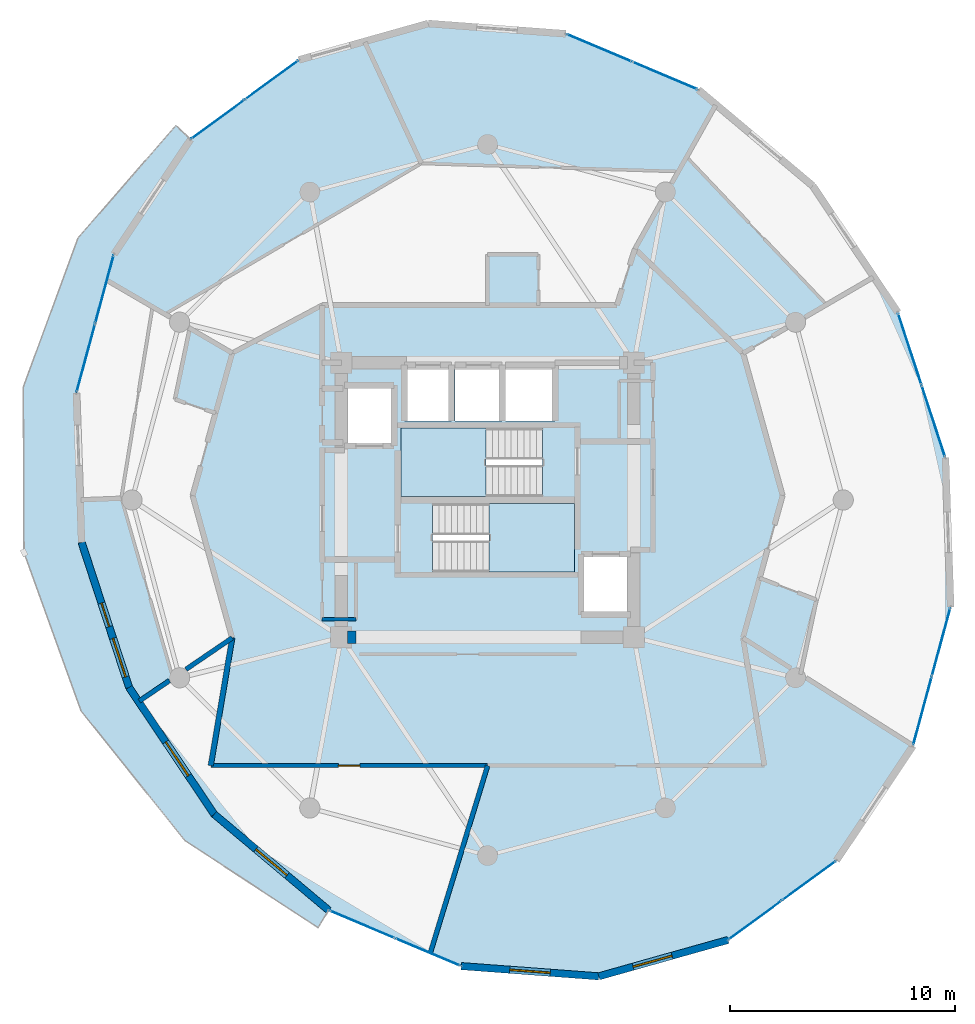
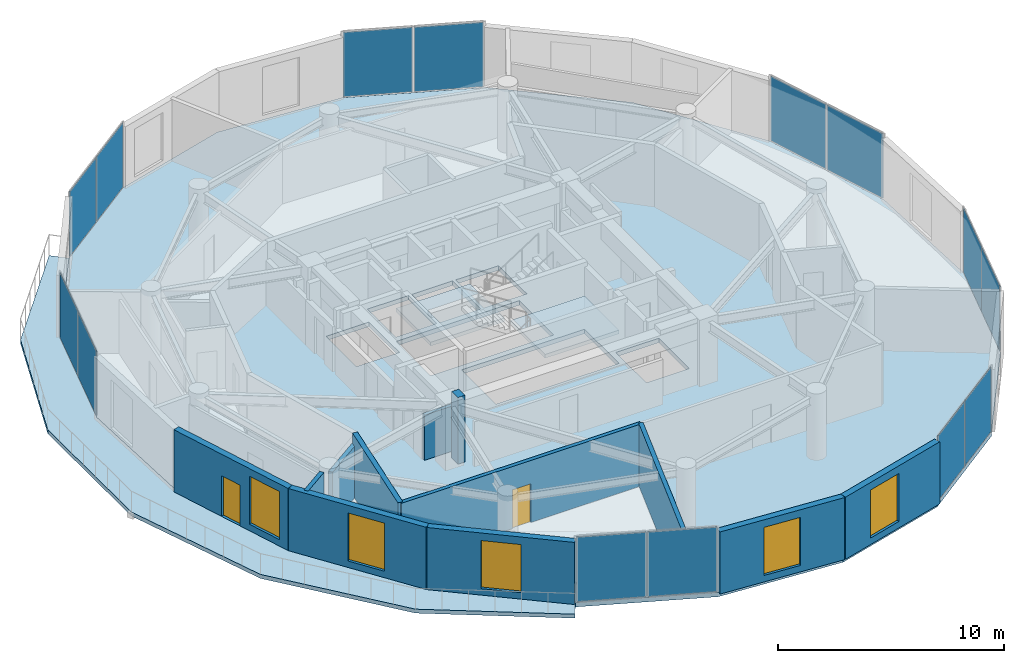
# One storey, part 13 of 18: 14 plates, 12 walls, 5 windows, 4 slabs, 2 doors, 7 openings, 9 elements without a shape of their own.
"""IFC4 building model written with IfcOpenShell, lengths in metres."""

from ifc_helpers import new_model, si_unit, direction, frame, frame_2d, origin, origin_2d, place, context, subcontext, project, spatial, polyline, rectangle, outline, extrude, source, transform, mapped, material, layer, layer_set, type_object, element, fill, aggregate, save


model = new_model("IFC4")

# Units and contexts
model_context = context("Model", 3, precision=1e-05, world=origin(), true_north=direction((0.0, 1.0)))
body_context = subcontext(model_context, "Body", "Model", "MODEL_VIEW")
ifc_project = project(units=[si_unit("LENGTHUNIT", "METRE"), si_unit("AREAUNIT", "SQUARE_METRE"), si_unit("VOLUMEUNIT", "CUBIC_METRE"), si_unit("PLANEANGLEUNIT", "RADIAN"), si_unit("MASSUNIT", "GRAM", prefix="KILO")], contexts=[model_context])

# Site, building, storey
site_placement = place(None, origin())
site = spatial("IfcSite", under=ifc_project, at=site_placement, CompositionType="ELEMENT")
building_placement = place(site_placement, origin())
building = spatial("IfcBuilding", under=site, at=building_placement, Name="Solvirekh Grand Hotel", CompositionType="ELEMENT")
storey_placement = place(building_placement, frame((0.0, 0.0, 202.0)))
storey = spatial("IfcBuildingStorey", under=building, at=storey_placement, Name="L52", CompositionType="ELEMENT", Elevation=202.0)

# Slab
ifc_material_1 = material(Name="Concrete C50/60", Category="concrete")
ifc_layer_1 = layer(ifc_material_1, 0.215087890625)
ifc_layer_set_1 = layer_set([ifc_layer_1], Name="Concrete C50/60")
slab_type_1 = type_object("IfcSlabType", Name="ExtCrescentBalc_215", PredefinedType="FLOOR", material=ifc_layer_set_1)
slab_1_placement = place(storey_placement, frame((0.0, 0.0, -0.215087890625)))
element("IfcSlab", 1, at=slab_1_placement, inside=storey, type_object=slab_type_1, Name="L52 sweeping crescent balcony slab", PredefinedType="FLOOR", context=body_context, shape_type="SweptSolid", body=[
    extrude(outline(polyline([(-13.846923828125, 16.638916015625), (-18.197021484375, 11.637939453125), (-20.626953125, 5.01708984375), (-20.596923828125, -2.339111328125), (-18.05908203125, -9.368896484375), (-13.448974609375, -15.1298828125), (-7.532958984375, -18.9951171875), (-7.06103515625, -18.22900390625), (-12.14501953125, -13.9619140625), (-15.927001953125, -8.3291015625), (-18.0380859375, -1.8798828125), (-18.27001953125, 4.751953125), (-16.60107421875, 10.919921875), (-13.195068359375, 16.01806640625), (-13.846923828125, 16.638916015625)])), origin(), (0.0, 0.0, 1.0), 0.215087890625),
])

# Stair, slab
ifc_material_2 = material(Name="Concrete C40/50", Category="concrete")
stair_type = type_object("IfcStairType", Name="Stair_Core_1450", PredefinedType="HALF_TURN_STAIR", material=ifc_material_2)
stair_1_placement = place(storey_placement, origin())
stair_1 = element("IfcStair", 2, at=stair_1_placement, inside=storey, type_object=stair_type, Name="L52 Enclosed exit stair ST-1", PredefinedType="HALF_TURN_STAIR")
ifc_layer_2 = layer(ifc_material_2, 0.199951171875)
ifc_layer_set_2 = layer_set([ifc_layer_2], Name="Concrete C40/50")
slab_type_2 = type_object("IfcSlabType", Name="Landing_Stair_200", PredefinedType="LANDING", material=ifc_layer_set_2)
slab_2_placement = place(storey_placement, frame((0.0, 0.0, 1.60009765625)))
slab_2 = element("IfcSlab", 3, at=slab_2_placement, type_object=slab_type_2, Name="ST-1 landing 1", PredefinedType="LANDING", context=body_context, shape_type="SweptSolid", body=[
    extrude(outline(polyline([(0.070068359375, -3.199951171875), (3.85009765625, -3.199951171875), (3.85009765625, -0.14990234375), (0.070068359375, -0.14990234375), (0.070068359375, -3.199951171875)])), origin(), (0.0, 0.0, 1.0), 0.199951171875),
])
aggregate(stair_1, [slab_2])

stair_2_placement = place(storey_placement, origin())
stair_2 = element("IfcStair", 4, at=stair_2_placement, inside=storey, type_object=stair_type, Name="L52 Enclosed exit stair ST-2", PredefinedType="HALF_TURN_STAIR")
slab_3_placement = place(storey_placement, frame((0.0, 0.0, 1.60009765625)))
slab_3 = element("IfcSlab", 5, at=slab_3_placement, type_object=slab_type_2, Name="ST-2 landing 1", PredefinedType="LANDING", context=body_context, shape_type="SweptSolid", body=[
    extrude(outline(polyline([(-0.070068359375, 3.199951171875), (-3.85009765625, 3.199951171875), (-3.85009765625, 0.14990234375), (-0.070068359375, 0.14990234375), (-0.070068359375, 3.199951171875)])), origin(), (0.0, 0.0, 1.0), 0.199951171875),
])
aggregate(stair_2, [slab_3])

# Slab
ifc_layer_3 = layer(ifc_material_2, 0.239990234375)
ifc_layer_set_3 = layer_set([ifc_layer_3], Name="Concrete C40/50")
slab_type_3 = type_object("IfcSlabType", Name="Slab_GuestZ3_240", PredefinedType="FLOOR", material=ifc_layer_set_3)
slab_4_placement = place(storey_placement, frame((0.0, 0.0, -0.239990234375)))
element("IfcSlab", 6, at=slab_4_placement, inside=storey, type_object=slab_type_3, Name="L52 structural floor slab", PredefinedType="FLOOR", context=body_context, shape_type="SweptSolid", body=[
    extrude(outline(polyline([(10.68505859375, -19.549072265625), (15.4951171875, -16.01806640625), (18.90087890625, -10.919921875), (20.570068359375, -4.751953125), (20.337890625, 1.8798828125), (18.22705078125, 8.3291015625), (14.445068359375, 13.9619140625), (9.361083984375, 18.22900390625), (3.47412109375, 20.7109375), (-2.64111328125, 21.166015625), (-8.385009765625, 19.549072265625), (-13.195068359375, 16.01806640625), (-16.60107421875, 10.919921875), (-18.27001953125, 4.751953125), (-18.0380859375, -1.8798828125), (-15.927001953125, -8.3291015625), (-12.14501953125, -13.9619140625), (-7.06103515625, -18.22900390625), (-1.174072265625, -20.7109375), (4.94091796875, -21.166015625), (10.68505859375, -19.549072265625)]), holes=[polyline([(-2.444091796875, -0.14990234375), (3.85009765625, -0.14990234375), (3.85009765625, -3.199951171875), (-2.444091796875, -3.199951171875), (-2.444091796875, -0.14990234375)]), polyline([(2.444091796875, 0.14990234375), (-3.85009765625, 0.14990234375), (-3.85009765625, 3.199951171875), (2.444091796875, 3.199951171875), (2.444091796875, 0.14990234375)]), polyline([(-3.699951171875, 6.0), (-1.60009765625, 6.0), (-1.60009765625, 3.5), (-3.699951171875, 3.5), (-3.699951171875, 6.0)]), polyline([(-1.449951171875, 6.0), (0.64990234375, 6.0), (0.64990234375, 3.5), (-1.449951171875, 3.5), (-1.449951171875, 6.0)]), polyline([(0.800048828125, 6.0), (3.0, 6.0), (3.0, 3.5), (0.800048828125, 3.5), (0.800048828125, 6.0)]), polyline([(-6.35009765625, 5.10009765625), (-4.14990234375, 5.10009765625), (-4.14990234375, 2.39990234375), (-6.35009765625, 2.39990234375), (-6.35009765625, 5.10009765625)]), polyline([(4.14990234375, -2.39990234375), (6.35009765625, -2.39990234375), (6.35009765625, -5.10009765625), (4.14990234375, -5.10009765625), (4.14990234375, -2.39990234375)])]), origin(), (0.0, 0.0, 1.0), 0.239990234375),
])

# Curtain wall, plates
ifc_material_3 = material(Name="Anodized Bronze Aluminium 6063-T6", Category="aluminium")
ifc_layer_4 = layer(ifc_material_3, 0.159912109375)
ifc_layer_set_4 = layer_set([ifc_layer_4], Name="Anodized Bronze Aluminium 6063-T6")
curtain_wall_type = type_object("IfcCurtainWallType", Name="CW_Sys4_HighZoneFlushBronzeCW", PredefinedType="NOTDEFINED", material=ifc_layer_set_4)
curtain_wall_1_placement = place(storey_placement, origin())
curtain_wall_1 = element("IfcCurtainWall", 7, at=curtain_wall_1_placement, inside=storey, type_object=curtain_wall_type, Name="L52 unitised bronze-glass curtain wall CW-L52-C01", PredefinedType="NOTDEFINED")
ifc_material_4 = material(Name="Low-E Tinted Bronze Laminated Glass", Category="aluminium")
ifc_layer_5 = layer(ifc_material_4, 0.033935546875)
ifc_layer_set_5 = layer_set([ifc_layer_5], Name="Low-E Tinted Bronze Laminated Glass")
plate_type = type_object("IfcPlateType", Name="CWPanel_High_34", PredefinedType="CURTAIN_PANEL", material=ifc_layer_set_5)
shared_shape_1 = source(origin(), body_context, "Body", "SweptSolid", [
    extrude(rectangle(XDim=2.8935546875, YDim=0.033935546875, at=origin_2d()), origin(), (0.0, 0.0, 1.0), 3.489990234375),
])
plate_1_placement = place(storey_placement, frame((11.899658203125, -18.657470703125, 0.05517578125), z_axis=(0.0, 0.0, 1.0), x_axis=(0.80611185509, 0.591763193418, 0.0)))
plate_1 = element("IfcPlate", 8, at=plate_1_placement, type_object=plate_type, Name="U04 panel 1.1", PredefinedType="CURTAIN_PANEL", context=body_context, shape_type="MappedRepresentation", body=[
    mapped(shared_shape_1, transform((0.0, 0.0, 0.0), x_axis=(1.0, 0.0, 0.0), y_axis=(0.0, 1.0, 0.0), z_axis=(0.0, 0.0, 1.0), scale=1.0)),
])
plate_2_placement = place(storey_placement, frame((14.280517578125, -16.90966796875, 0.05517578125), z_axis=(0.0, 0.0, 1.0), x_axis=(0.80611185509, 0.591763193418, 0.0)))
plate_2 = element("IfcPlate", 9, at=plate_2_placement, type_object=plate_type, Name="U04 panel 2.1", PredefinedType="CURTAIN_PANEL", context=body_context, shape_type="MappedRepresentation", body=[
    mapped(shared_shape_1, transform((0.0, 0.0, 0.0), x_axis=(1.0, 0.0, 0.0), y_axis=(0.0, 1.0, 0.0), z_axis=(0.0, 0.0, 1.0), scale=1.0)),
])
aggregate(curtain_wall_1, [plate_1, plate_2])

curtain_wall_2_placement = place(storey_placement, origin())
curtain_wall_2 = element("IfcCurtainWall", 10, at=curtain_wall_2_placement, inside=storey, type_object=curtain_wall_type, Name="L52 unitised bronze-glass curtain wall CW-L52-C11", PredefinedType="NOTDEFINED")
plate_3_placement = place(storey_placement, frame((-9.599609375, 18.657470703125, 0.05517578125), z_axis=(0.0, 0.0, 1.0), x_axis=(-0.80611185509, -0.591763193418, 0.0)))
plate_3 = element("IfcPlate", 11, at=plate_3_placement, type_object=plate_type, Name="U04 panel 1.1", PredefinedType="CURTAIN_PANEL", context=body_context, shape_type="MappedRepresentation", body=[
    mapped(shared_shape_1, transform((0.0, 0.0, 0.0), x_axis=(1.0, 0.0, 0.0), y_axis=(0.0, 1.0, 0.0), z_axis=(0.0, 0.0, 1.0), scale=1.0)),
])
plate_4_placement = place(storey_placement, frame((-11.98046875, 16.90966796875, 0.05517578125), z_axis=(0.0, 0.0, 1.0), x_axis=(-0.80611185509, -0.591763193418, 0.0)))
plate_4 = element("IfcPlate", 12, at=plate_4_placement, type_object=plate_type, Name="U04 panel 2.1", PredefinedType="CURTAIN_PANEL", context=body_context, shape_type="MappedRepresentation", body=[
    mapped(shared_shape_1, transform((0.0, 0.0, 0.0), x_axis=(1.0, 0.0, 0.0), y_axis=(0.0, 1.0, 0.0), z_axis=(0.0, 0.0, 1.0), scale=1.0)),
])
aggregate(curtain_wall_2, [plate_3, plate_4])

curtain_wall_3_placement = place(storey_placement, origin())
curtain_wall_3 = element("IfcCurtainWall", 13, at=curtain_wall_3_placement, inside=storey, type_object=curtain_wall_type, Name="L52 unitised bronze-glass curtain wall CW-L52-C08", PredefinedType="NOTDEFINED")
shared_shape_2 = source(origin(), body_context, "Body", "SweptSolid", [
    extrude(rectangle(XDim=3.1044921875, YDim=0.033935546875, at=origin_2d()), origin(), (0.0, 0.0, 1.0), 3.489990234375),
])
plate_5_placement = place(storey_placement, frame((7.87548828125, 18.855224609375, 0.05517578125), z_axis=(0.0, 0.0, 1.0), x_axis=(-0.92145260114, 0.388490802791, 0.0)))
plate_5 = element("IfcPlate", 14, at=plate_5_placement, type_object=plate_type, Name="U04 panel 1.1", PredefinedType="CURTAIN_PANEL", context=body_context, shape_type="MappedRepresentation", body=[
    mapped(shared_shape_2, transform((0.0, 0.0, 0.0), x_axis=(1.0, 0.0, 0.0), y_axis=(0.0, 1.0, 0.0), z_axis=(0.0, 0.0, 1.0), scale=1.0)),
])
plate_6_placement = place(storey_placement, frame((4.95947265625, 20.084716796875, 0.05517578125), z_axis=(0.0, 0.0, 1.0), x_axis=(-0.92145260114, 0.388490802791, 0.0)))
plate_6 = element("IfcPlate", 15, at=plate_6_placement, type_object=plate_type, Name="U04 panel 2.1", PredefinedType="CURTAIN_PANEL", context=body_context, shape_type="MappedRepresentation", body=[
    mapped(shared_shape_2, transform((0.0, 0.0, 0.0), x_axis=(1.0, 0.0, 0.0), y_axis=(0.0, 1.0, 0.0), z_axis=(0.0, 0.0, 1.0), scale=1.0)),
])
aggregate(curtain_wall_3, [plate_5, plate_6])

curtain_wall_4_placement = place(storey_placement, origin())
curtain_wall_4 = element("IfcCurtainWall", 16, at=curtain_wall_4_placement, inside=storey, type_object=curtain_wall_type, Name="L52 unitised bronze-glass curtain wall CW-L52-C18", PredefinedType="NOTDEFINED")
plate_7_placement = place(storey_placement, frame((-5.575439453125, -18.855224609375, 0.05517578125), z_axis=(0.0, 0.0, 1.0), x_axis=(0.92145260114, -0.388490802791, 0.0)))
plate_7 = element("IfcPlate", 17, at=plate_7_placement, type_object=plate_type, Name="U04 panel 1.1", PredefinedType="CURTAIN_PANEL", context=body_context, shape_type="MappedRepresentation", body=[
    mapped(shared_shape_2, transform((0.0, 0.0, 0.0), x_axis=(1.0, 0.0, 0.0), y_axis=(0.0, 1.0, 0.0), z_axis=(0.0, 0.0, 1.0), scale=1.0)),
])
plate_8_placement = place(storey_placement, frame((-2.65966796875, -20.084716796875, 0.05517578125), z_axis=(0.0, 0.0, 1.0), x_axis=(0.92145260114, -0.388490802791, 0.0)))
plate_8 = element("IfcPlate", 18, at=plate_8_placement, type_object=plate_type, Name="U04 panel 2.1", PredefinedType="CURTAIN_PANEL", context=body_context, shape_type="MappedRepresentation", body=[
    mapped(shared_shape_2, transform((0.0, 0.0, 0.0), x_axis=(1.0, 0.0, 0.0), y_axis=(0.0, 1.0, 0.0), z_axis=(0.0, 0.0, 1.0), scale=1.0)),
])
aggregate(curtain_wall_4, [plate_7, plate_8])

curtain_wall_5_placement = place(storey_placement, origin())
curtain_wall_5 = element("IfcCurtainWall", 19, at=curtain_wall_5_placement, inside=storey, type_object=curtain_wall_type, Name="L52 unitised bronze-glass curtain wall CW-L52-C03", PredefinedType="NOTDEFINED")
shared_shape_3 = source(origin(), body_context, "Body", "SweptSolid", [
    extrude(rectangle(XDim=3.10498046875, YDim=0.033935546875, at=origin_2d()), origin(), (0.0, 0.0, 1.0), 3.489990234375),
])
plate_9_placement = place(storey_placement, frame((19.322265625, -9.363525390625, 0.05517578125), z_axis=(0.0, 0.0, 1.0), x_axis=(0.26119676283, 0.965285580068, 0.0)))
plate_9 = element("IfcPlate", 20, at=plate_9_placement, type_object=plate_type, Name="U04 panel 1.1", PredefinedType="CURTAIN_PANEL", context=body_context, shape_type="MappedRepresentation", body=[
    mapped(shared_shape_3, transform((0.0, 0.0, 0.0), x_axis=(1.0, 0.0, 0.0), y_axis=(0.0, 1.0, 0.0), z_axis=(0.0, 0.0, 1.0), scale=1.0)),
])
plate_10_placement = place(storey_placement, frame((20.14892578125, -6.30859375, 0.05517578125), z_axis=(0.0, 0.0, 1.0), x_axis=(0.26119676283, 0.965285580068, 0.0)))
plate_10 = element("IfcPlate", 21, at=plate_10_placement, type_object=plate_type, Name="U04 panel 2.1", PredefinedType="CURTAIN_PANEL", context=body_context, shape_type="MappedRepresentation", body=[
    mapped(shared_shape_3, transform((0.0, 0.0, 0.0), x_axis=(1.0, 0.0, 0.0), y_axis=(0.0, 1.0, 0.0), z_axis=(0.0, 0.0, 1.0), scale=1.0)),
])
aggregate(curtain_wall_5, [plate_9, plate_10])

curtain_wall_6_placement = place(storey_placement, origin())
curtain_wall_6 = element("IfcCurtainWall", 22, at=curtain_wall_6_placement, inside=storey, type_object=curtain_wall_type, Name="L52 unitised bronze-glass curtain wall CW-L52-C13", PredefinedType="NOTDEFINED")
plate_11_placement = place(storey_placement, frame((-17.022216796875, 9.363525390625, 0.05517578125), z_axis=(0.0, 0.0, 1.0), x_axis=(-0.26119676283, -0.965285580068, 0.0)))
plate_11 = element("IfcPlate", 23, at=plate_11_placement, type_object=plate_type, Name="U04 panel 1.1", PredefinedType="CURTAIN_PANEL", context=body_context, shape_type="MappedRepresentation", body=[
    mapped(shared_shape_3, transform((0.0, 0.0, 0.0), x_axis=(1.0, 0.0, 0.0), y_axis=(0.0, 1.0, 0.0), z_axis=(0.0, 0.0, 1.0), scale=1.0)),
])
plate_12_placement = place(storey_placement, frame((-17.848876953125, 6.30859375, 0.05517578125), z_axis=(0.0, 0.0, 1.0), x_axis=(-0.26119676283, -0.965285580068, 0.0)))
plate_12 = element("IfcPlate", 24, at=plate_12_placement, type_object=plate_type, Name="U04 panel 2.1", PredefinedType="CURTAIN_PANEL", context=body_context, shape_type="MappedRepresentation", body=[
    mapped(shared_shape_3, transform((0.0, 0.0, 0.0), x_axis=(1.0, 0.0, 0.0), y_axis=(0.0, 1.0, 0.0), z_axis=(0.0, 0.0, 1.0), scale=1.0)),
])
aggregate(curtain_wall_6, [plate_11, plate_12])

curtain_wall_7_placement = place(storey_placement, origin())
curtain_wall_7 = element("IfcCurtainWall", 25, at=curtain_wall_7_placement, inside=storey, type_object=curtain_wall_type, Name="L52 unitised bronze-glass curtain wall CW-L52-C05", PredefinedType="NOTDEFINED")
shared_shape_4 = source(origin(), body_context, "Body", "SweptSolid", [
    extrude(rectangle(XDim=3.302978515625, YDim=0.033935546875, at=origin_2d()), origin(), (0.0, 0.0, 1.0), 3.489990234375),
])
plate_13_placement = place(storey_placement, frame((19.8056640625, 3.506591796875, 0.05517578125), z_axis=(0.0, 0.0, 1.0), x_axis=(-0.311094724563, 0.950378909882, 0.0)))
plate_13 = element("IfcPlate", 26, at=plate_13_placement, type_object=plate_type, Name="U04 panel 1.1", PredefinedType="CURTAIN_PANEL", context=body_context, shape_type="MappedRepresentation", body=[
    mapped(shared_shape_4, transform((0.0, 0.0, 0.0), x_axis=(1.0, 0.0, 0.0), y_axis=(0.0, 1.0, 0.0), z_axis=(0.0, 0.0, 1.0), scale=1.0)),
])
plate_14_placement = place(storey_placement, frame((18.759521484375, 6.702392578125, 0.05517578125), z_axis=(0.0, 0.0, 1.0), x_axis=(-0.311094724563, 0.950378909882, 0.0)))
plate_14 = element("IfcPlate", 27, at=plate_14_placement, type_object=plate_type, Name="U04 panel 2.1", PredefinedType="CURTAIN_PANEL", context=body_context, shape_type="MappedRepresentation", body=[
    mapped(shared_shape_4, transform((0.0, 0.0, 0.0), x_axis=(1.0, 0.0, 0.0), y_axis=(0.0, 1.0, 0.0), z_axis=(0.0, 0.0, 1.0), scale=1.0)),
])
aggregate(curtain_wall_7, [plate_13, plate_14])

# Wall
ifc_layer_6 = layer(ifc_material_1, 0.550048828125)
ifc_layer_set_6 = layer_set([ifc_layer_6], Name="Concrete C50/60")
wall_type_1 = type_object("IfcWallType", Name="CoreWall_RC550", PredefinedType="SHEAR", material=ifc_layer_set_6)
wall_1_placement = place(storey_placement, frame((-6.22509765625, -6.10009765625, 0.0), z_axis=(0.0, 0.0, 1.0), x_axis=(1.0, 0.0, 0.0)))
element("IfcWall", 28, at=wall_1_placement, inside=storey, type_object=wall_type_1, Name="L52 core corner shear wall SW-S", PredefinedType="SHEAR", context=body_context, shape_type="SweptSolid", body=[
    extrude(rectangle(XDim=0.375, YDim=0.550048828125, at=frame_2d((0.1875, 0.0))), origin(), (0.0, 0.0, 1.0), 3.60009765625),
])

# Wall, openings, door, window
ifc_material_5 = material(Name="Precast concrete C45/55", Category="concrete")
ifc_layer_7 = layer(ifc_material_5, 0.320068359375)
ifc_layer_set_7 = layer_set([ifc_layer_7], Name="Precast concrete C45/55")
wall_type_2 = type_object("IfcWallType", Name="ExtLobbyWall_RC320", PredefinedType="SOLIDWALL", material=ifc_layer_set_7)
wall_2_placement = place(storey_placement, frame((-15.927001953125, -8.3291015625, 0.0), z_axis=(0.0, 0.0, 1.0), x_axis=(-0.311096372271, 0.950378370524, 0.0)))
wall_2 = element("IfcWall", 29, at=wall_2_placement, inside=storey, type_object=wall_type_2, Name="L52 exterior structural wall chord 15", PredefinedType="SOLIDWALL", context=body_context, shape_type="SweptSolid", body=[
    extrude(rectangle(XDim=6.785888671875, YDim=0.320068359375, at=frame_2d((3.39306640625, 0.0))), origin(), (0.0, 0.0, 1.0), 3.360107421875),
])
opening_1_placement = place(wall_2_placement, frame((0.49609375, 0.0, 0.35009765625)))
opening_1 = element("IfcOpeningElement", 30, at=opening_1_placement, cuts=wall_2, Name="Opening W02", PredefinedType="OPENING", context=body_context, shape_type="SweptSolid", body=[
    extrude(rectangle(XDim=1.800048828125, YDim=2.60009765625, at=frame_2d((0.89990234375, 1.300048828125))), frame((0.0, 0.169921875, 0.0), z_axis=(0.0, -1.0, 0.0), x_axis=(1.0, 0.0, 0.0)), (0.0, 0.0, 1.0), 0.340087890625),
])
opening_2_placement = place(wall_2_placement, frame((2.843017578125, 0.0, 0.0)))
opening_2 = element("IfcOpeningElement", 31, at=opening_2_placement, cuts=wall_2, Name="Opening D03", PredefinedType="OPENING", context=body_context, shape_type="SweptSolid", body=[
    extrude(rectangle(XDim=1.10009765625, YDim=2.199951171875, at=frame_2d((0.550048828125, 1.10009765625))), frame((0.0, 0.169921875, 0.0), z_axis=(0.0, -1.0, 0.0), x_axis=(1.0, 0.0, 0.0)), (0.0, 0.0, 1.0), 0.340087890625),
])
door_type_1 = type_object("IfcDoorType", Name="Door_ExtBalcony_1100X2200", OperationType="NOTDEFINED", PredefinedType="DOOR", material=ifc_material_3)
door_1_placement = place(opening_2_placement, origin())
door_1 = element("IfcDoor", 32, at=door_1_placement, inside=storey, type_object=door_type_1, Name="L52 Crescent balcony glazed door (15)", OperationType="SINGLE_SWING_RIGHT", OverallHeight=2.199951171875, OverallWidth=1.10009765625, PredefinedType="DOOR", context=body_context, shape_type="SweptSolid", body=[
    extrude(rectangle(XDim=1.10009765625, YDim=2.199951171875, at=frame_2d((0.550048828125, 1.10009765625))), frame((0.0, 0.02490234375, 0.0), z_axis=(0.0, -1.0, 0.0), x_axis=(1.0, 0.0, 0.0)), (0.0, 0.0, 1.0), 0.050048828125),
])
fill(opening_2, door_1)
window_type = type_object("IfcWindowType", Name="Win_LobbyExt_1800X2600", PartitioningType="SINGLE_PANEL", PredefinedType="WINDOW", material=ifc_material_4)
window_1_placement = place(opening_1_placement, origin())
window_1 = element("IfcWindow", 33, at=window_1_placement, inside=storey, type_object=window_type, Name="L52 exterior side window 15", OverallHeight=2.60009765625, OverallWidth=1.800048828125, PartitioningType="SINGLE_PANEL", PredefinedType="WINDOW", context=body_context, shape_type="SweptSolid", body=[
    extrude(rectangle(XDim=1.800048828125, YDim=2.60009765625, at=frame_2d((0.89990234375, 1.300048828125))), frame((0.0, 0.030029296875, 0.0), z_axis=(0.0, -1.0, 0.0), x_axis=(1.0, 0.0, 0.0)), (0.0, 0.0, 1.0), 0.06005859375),
])
fill(opening_1, window_1)

# Wall, opening, window
wall_3_placement = place(storey_placement, frame((-12.14501953125, -13.9619140625, 0.0), z_axis=(0.0, 0.0, 1.0), x_axis=(-0.557429227347, 0.830224461516, 0.0)))
wall_3 = element("IfcWall", 34, at=wall_3_placement, inside=storey, type_object=wall_type_2, Name="L52 exterior structural wall chord 16", PredefinedType="SOLIDWALL", context=body_context, shape_type="SweptSolid", body=[
    extrude(rectangle(XDim=6.78466796875, YDim=0.320068359375, at=frame_2d((3.392333984375, 0.0))), origin(), (0.0, 0.0, 1.0), 3.360107421875),
])
opening_3_placement = place(wall_3_placement, frame((2.06494140625, 0.0, 0.35009765625)))
opening_3 = element("IfcOpeningElement", 35, at=opening_3_placement, cuts=wall_3, Name="Opening W02", PredefinedType="OPENING", context=body_context, shape_type="SweptSolid", body=[
    extrude(rectangle(XDim=1.800048828125, YDim=2.60009765625, at=frame_2d((0.89990234375, 1.300048828125))), frame((0.0, 0.169921875, 0.0), z_axis=(0.0, -1.0, 0.0), x_axis=(1.0, 0.0, 0.0)), (0.0, 0.0, 1.0), 0.340087890625),
])
window_2_placement = place(opening_3_placement, origin())
window_2 = element("IfcWindow", 36, at=window_2_placement, inside=storey, type_object=window_type, Name="L52 panoramic bronze-framed window 16", OverallHeight=2.60009765625, OverallWidth=1.800048828125, PartitioningType="SINGLE_PANEL", PredefinedType="WINDOW", context=body_context, shape_type="SweptSolid", body=[
    extrude(rectangle(XDim=1.800048828125, YDim=2.60009765625, at=frame_2d((0.89990234375, 1.300048828125))), frame((0.0, 0.030029296875, 0.0), z_axis=(0.0, -1.0, 0.0), x_axis=(1.0, 0.0, 0.0)), (0.0, 0.0, 1.0), 0.06005859375),
])
fill(opening_3, window_2)

wall_4_placement = place(storey_placement, frame((-7.06103515625, -18.22900390625, 0.0), z_axis=(0.0, 0.0, 1.0), x_axis=(-0.765961316102, 0.642886663601, 0.0)))
wall_4 = element("IfcWall", 37, at=wall_4_placement, inside=storey, type_object=wall_type_2, Name="L52 exterior structural wall chord 17", PredefinedType="SOLIDWALL", context=body_context, shape_type="SweptSolid", body=[
    extrude(rectangle(XDim=6.637451171875, YDim=0.320068359375, at=frame_2d((3.31884765625, 0.0))), origin(), (0.0, 0.0, 1.0), 3.360107421875),
])
opening_4_placement = place(wall_4_placement, frame((2.4189453125, 0.0, 0.35009765625)))
opening_4 = element("IfcOpeningElement", 38, at=opening_4_placement, cuts=wall_4, Name="Opening W02", PredefinedType="OPENING", context=body_context, shape_type="SweptSolid", body=[
    extrude(rectangle(XDim=1.800048828125, YDim=2.60009765625, at=frame_2d((0.89990234375, 1.300048828125))), frame((0.0, 0.169921875, 0.0), z_axis=(0.0, -1.0, 0.0), x_axis=(1.0, 0.0, 0.0)), (0.0, 0.0, 1.0), 0.340087890625),
])
window_3_placement = place(opening_4_placement, origin())
window_3 = element("IfcWindow", 39, at=window_3_placement, inside=storey, type_object=window_type, Name="L52 panoramic bronze-framed window 17", OverallHeight=2.60009765625, OverallWidth=1.800048828125, PartitioningType="SINGLE_PANEL", PredefinedType="WINDOW", context=body_context, shape_type="SweptSolid", body=[
    extrude(rectangle(XDim=1.800048828125, YDim=2.60009765625, at=frame_2d((0.89990234375, 1.300048828125))), frame((0.0, 0.030029296875, 0.0), z_axis=(0.0, -1.0, 0.0), x_axis=(1.0, 0.0, 0.0)), (0.0, 0.0, 1.0), 0.06005859375),
])
fill(opening_4, window_3)

wall_5_placement = place(storey_placement, frame((4.94091796875, -21.166015625, 0.0), z_axis=(0.0, 0.0, 1.0), x_axis=(-0.997242274748, 0.074214860068, 0.0)))
wall_5 = element("IfcWall", 40, at=wall_5_placement, inside=storey, type_object=wall_type_2, Name="L52 exterior structural wall chord 19", PredefinedType="SOLIDWALL", context=body_context, shape_type="SweptSolid", body=[
    extrude(rectangle(XDim=6.1318359375, YDim=0.320068359375, at=frame_2d((3.06591796875, 0.0))), origin(), (0.0, 0.0, 1.0), 3.360107421875),
])
opening_5_placement = place(wall_5_placement, frame((2.166015625, 0.0, 0.35009765625)))
opening_5 = element("IfcOpeningElement", 41, at=opening_5_placement, cuts=wall_5, Name="Opening W02", PredefinedType="OPENING", context=body_context, shape_type="SweptSolid", body=[
    extrude(rectangle(XDim=1.800048828125, YDim=2.60009765625, at=frame_2d((0.89990234375, 1.300048828125))), frame((0.0, 0.169921875, 0.0), z_axis=(0.0, -1.0, 0.0), x_axis=(1.0, 0.0, 0.0)), (0.0, 0.0, 1.0), 0.340087890625),
])
window_4_placement = place(opening_5_placement, origin())
window_4 = element("IfcWindow", 42, at=window_4_placement, inside=storey, type_object=window_type, Name="L52 panoramic bronze-framed window 19", OverallHeight=2.60009765625, OverallWidth=1.800048828125, PartitioningType="SINGLE_PANEL", PredefinedType="WINDOW", context=body_context, shape_type="SweptSolid", body=[
    extrude(rectangle(XDim=1.800048828125, YDim=2.60009765625, at=frame_2d((0.89990234375, 1.300048828125))), frame((0.0, 0.030029296875, 0.0), z_axis=(0.0, -1.0, 0.0), x_axis=(1.0, 0.0, 0.0)), (0.0, 0.0, 1.0), 0.06005859375),
])
fill(opening_5, window_4)

wall_6_placement = place(storey_placement, frame((10.68505859375, -19.549072265625, 0.0), z_axis=(0.0, 0.0, 1.0), x_axis=(-0.962589602237, -0.270963572578, 0.0)))
wall_6 = element("IfcWall", 43, at=wall_6_placement, inside=storey, type_object=wall_type_2, Name="L52 exterior structural wall chord 20", PredefinedType="SOLIDWALL", context=body_context, shape_type="SweptSolid", body=[
    extrude(rectangle(XDim=5.96728515625, YDim=0.320068359375, at=frame_2d((2.983642578125, 0.0))), origin(), (0.0, 0.0, 1.0), 3.360107421875),
])
opening_6_placement = place(wall_6_placement, frame((2.583984375, 0.0, 0.35009765625)))
opening_6 = element("IfcOpeningElement", 44, at=opening_6_placement, cuts=wall_6, Name="Opening W02", PredefinedType="OPENING", context=body_context, shape_type="SweptSolid", body=[
    extrude(rectangle(XDim=1.800048828125, YDim=2.60009765625, at=frame_2d((0.89990234375, 1.300048828125))), frame((0.0, 0.169921875, 0.0), z_axis=(0.0, -1.0, 0.0), x_axis=(1.0, 0.0, 0.0)), (0.0, 0.0, 1.0), 0.340087890625),
])
window_5_placement = place(opening_6_placement, origin())
window_5 = element("IfcWindow", 45, at=window_5_placement, inside=storey, type_object=window_type, Name="L52 panoramic bronze-framed window 20", OverallHeight=2.60009765625, OverallWidth=1.800048828125, PartitioningType="SINGLE_PANEL", PredefinedType="WINDOW", context=body_context, shape_type="SweptSolid", body=[
    extrude(rectangle(XDim=1.800048828125, YDim=2.60009765625, at=frame_2d((0.89990234375, 1.300048828125))), frame((0.0, 0.030029296875, 0.0), z_axis=(0.0, -1.0, 0.0), x_axis=(1.0, 0.0, 0.0)), (0.0, 0.0, 1.0), 0.06005859375),
])
fill(opening_6, window_5)

# Walls
ifc_material_6 = material(Name="Acoustic Gypsum Partition Assembly")
ifc_layer_8 = layer(ifc_material_6, 0.1650390625)
ifc_layer_set_8 = layer_set([ifc_layer_8], Name="Acoustic Gypsum Partition Assembly")
wall_type_3 = type_object("IfcWallType", Name="Part_BOH_165", PredefinedType="PARTITIONING", material=ifc_layer_set_8)
wall_7_placement = place(storey_placement, frame((-7.35009765625, -5.300048828125, 0.0), z_axis=(0.0, 0.0, 1.0), x_axis=(1.0, 0.0, 0.0)))
element("IfcWall", 46, at=wall_7_placement, inside=storey, type_object=wall_type_3, Name="L52 L52 Core Linen Store wall 1", PredefinedType="PARTITIONING", context=body_context, shape_type="SweptSolid", body=[
    extrude(rectangle(XDim=1.5, YDim=0.1650390625, at=frame_2d((0.75, 0.0))), origin(), (0.0, 0.0, 1.0), 2.445068359375),
])
ifc_layer_9 = layer(ifc_material_6, 0.239990234375)
ifc_layer_set_9 = layer_set([ifc_layer_9], Name="Acoustic Gypsum Partition Assembly")
wall_type_4 = type_object("IfcWallType", Name="Part_Corridor_240", PredefinedType="PARTITIONING", material=ifc_layer_set_9)
wall_8_placement = place(storey_placement, frame((-11.344970703125, -6.125, 0.0), z_axis=(0.0, 0.0, 1.0), x_axis=(-0.165960421789, -0.986132414232, 0.0)))
element("IfcWall", 47, at=wall_8_placement, inside=storey, type_object=wall_type_4, Name="L52 L52 Private Tea & Study Lounge corridor wall 1", PredefinedType="PARTITIONING", context=body_context, shape_type="SweptSolid", body=[
    extrude(rectangle(XDim=5.7548828125, YDim=0.239990234375, at=frame_2d((2.87744140625, 0.0))), origin(), (0.0, 0.0, 1.0), 3.360107421875),
])

# Wall, opening, door
ifc_layer_10 = layer(ifc_material_6, 0.18994140625)
ifc_layer_set_10 = layer_set([ifc_layer_10], Name="Acoustic Gypsum Partition Assembly")
wall_type_5 = type_object("IfcWallType", Name="Part_GuestDemise_190", PredefinedType="PARTITIONING", material=ifc_layer_set_10)
wall_9_placement = place(storey_placement, frame((-12.300048828125, -11.800048828125, 0.0), z_axis=(0.0, 0.0, 1.0), x_axis=(1.0, 0.0, 0.0)))
wall_9 = element("IfcWall", 48, at=wall_9_placement, inside=storey, type_object=wall_type_5, Name="L52 L52 Private Tea & Study Lounge entrance wall", PredefinedType="PARTITIONING", context=body_context, shape_type="SweptSolid", body=[
    extrude(rectangle(XDim=12.300048828125, YDim=0.18994140625, at=frame_2d((6.14990234375, 0.0))), origin(), (0.0, 0.0, 1.0), 3.360107421875),
])
opening_7_placement = place(wall_9_placement, frame((5.675048828125, 0.0, 0.0)))
opening_7 = element("IfcOpeningElement", 49, at=opening_7_placement, cuts=wall_9, Name="Opening D10", PredefinedType="OPENING", context=body_context, shape_type="SweptSolid", body=[
    extrude(rectangle(XDim=0.949951171875, YDim=2.10009765625, at=frame_2d((0.47509765625, 1.050048828125))), frame((0.0, 0.10498046875, 0.0), z_axis=(0.0, -1.0, 0.0), x_axis=(1.0, 0.0, 0.0)), (0.0, 0.0, 1.0), 0.2099609375),
])
door_type_2 = type_object("IfcDoorType", Name="Door_RoomInt_950X2100", OperationType="NOTDEFINED", PredefinedType="DOOR", material=ifc_material_3)
door_2_placement = place(opening_7_placement, origin())
door_2 = element("IfcDoor", 50, at=door_2_placement, inside=storey, type_object=door_type_2, Name="L52 L52 Private Tea & Study Lounge entrance door", OperationType="SINGLE_SWING_RIGHT", OverallHeight=2.10009765625, OverallWidth=0.949951171875, PredefinedType="DOOR", context=body_context, shape_type="SweptSolid", body=[
    extrude(rectangle(XDim=0.949951171875, YDim=2.10009765625, at=frame_2d((0.47509765625, 1.050048828125))), frame((0.0, 0.02490234375, 0.0), z_axis=(0.0, -1.0, 0.0), x_axis=(1.0, 0.0, 0.0)), (0.0, 0.0, 1.0), 0.050048828125),
])
fill(opening_7, door_2)

# Walls
ifc_layer_11 = layer(ifc_material_6, 0.2099609375)
ifc_layer_set_11 = layer_set([ifc_layer_11], Name="Acoustic Gypsum Partition Assembly")
wall_type_6 = type_object("IfcWallType", Name="Part_SuiteDemise_210", PredefinedType="PARTITIONING", material=ifc_layer_set_11)
wall_10_placement = place(storey_placement, frame((-11.344970703125, -6.125, 0.0), z_axis=(0.0, 0.0, 1.0), x_axis=(-0.82675664011, -0.562559737303, 0.0)))
element("IfcWall", 51, at=wall_10_placement, inside=storey, type_object=wall_type_6, Name="L52 suite radial wall 8 (A)", PredefinedType="PARTITIONING", context=body_context, shape_type="SweptSolid", body=[
    extrude(rectangle(XDim=2.48681640625, YDim=0.2099609375, at=frame_2d((1.243408203125, 0.0))), origin(), (0.0, 0.0, 1.0), 2.801025390625),
])
wall_11_placement = place(storey_placement, frame((-14.135986328125, -8.02392578125, 0.0), z_axis=(0.0, 0.0, 1.0), x_axis=(-0.826904032376, -0.562343063654, 0.0)))
element("IfcWall", 52, at=wall_11_placement, inside=storey, type_object=wall_type_6, Name="L52 suite radial wall 8 (B)", PredefinedType="PARTITIONING", context=body_context, shape_type="SweptSolid", body=[
    extrude(rectangle(XDim=1.61669921875, YDim=0.2099609375, at=frame_2d((0.808349609375, 0.0))), origin(), (0.0, 0.0, 1.0), 3.360107421875),
])
wall_12_placement = place(storey_placement, frame((0.0, -11.800048828125, 0.0), z_axis=(0.0, 0.0, 1.0), x_axis=(-0.292621831888, -0.956228248643, 0.0)))
element("IfcWall", 53, at=wall_12_placement, inside=storey, type_object=wall_type_6, Name="L52 L52 Private Tea & Study Lounge dividing partition 1", PredefinedType="PARTITIONING", context=body_context, shape_type="SweptSolid", body=[
    extrude(rectangle(XDim=8.673583984375, YDim=0.2099609375, at=frame_2d((4.3369140625, 0.0))), origin(), (0.0, 0.0, 1.0), 3.360107421875),
])

save(model, "model.ifc")
